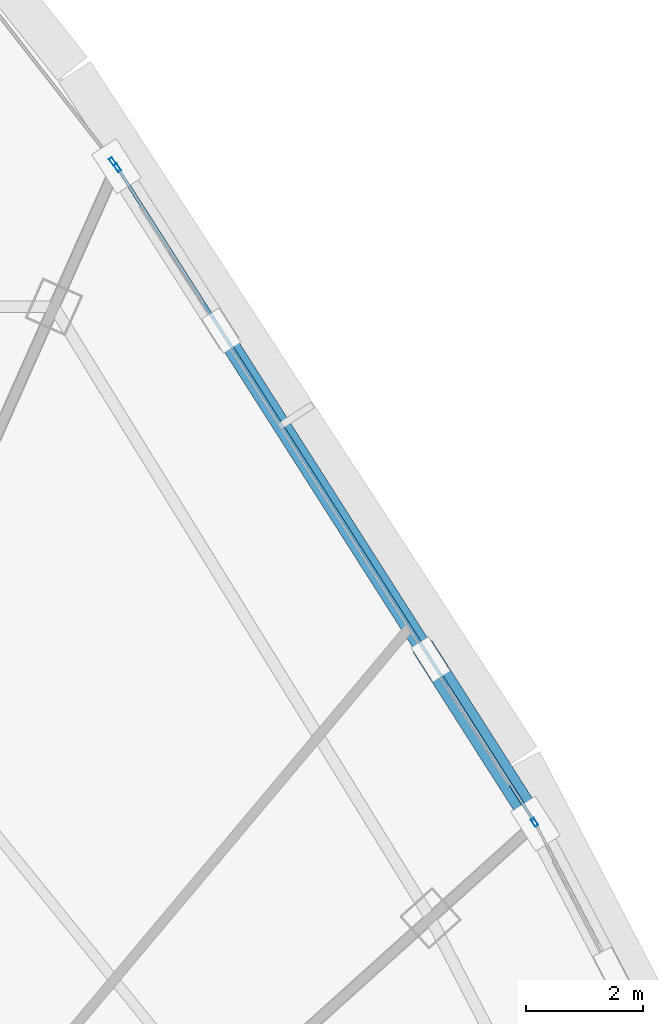
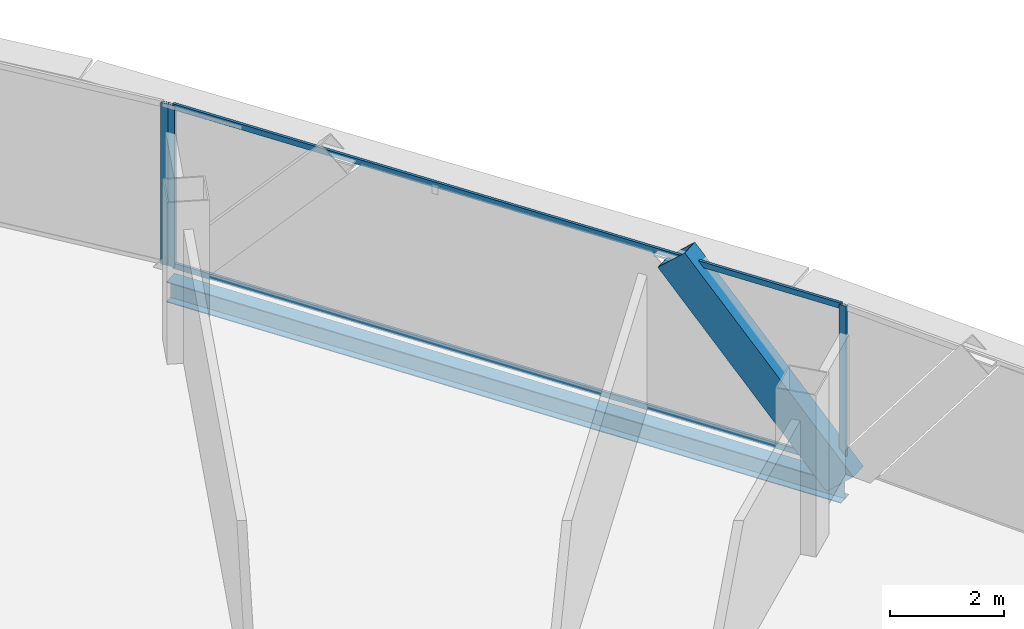
# One storey, part 26 of 40: 6 members, 1 beam, 2 elements without a shape of their own.
"""IFC4 building model written with IfcOpenShell, lengths in metres."""

from ifc_helpers import new_model, si_unit, direction, frame, origin, origin_2d, place, context, subcontext, project, spatial, hollow_rectangle, i_section, extrude, source, transform, mapped, material, layer, layer_set, material_profile, profile_set, type_object, element, aggregate, save


model = new_model("IFC4")

# Units and contexts
model_context = context("Model", 3, precision=1e-05, world=origin(), true_north=direction((0.0, 1.0)))
body_context = subcontext(model_context, "Body", "Model", "MODEL_VIEW")
ifc_project = project(units=[si_unit("LENGTHUNIT", "METRE"), si_unit("AREAUNIT", "SQUARE_METRE"), si_unit("VOLUMEUNIT", "CUBIC_METRE"), si_unit("PLANEANGLEUNIT", "RADIAN"), si_unit("MASSUNIT", "GRAM", prefix="KILO"), si_unit("THERMODYNAMICTEMPERATUREUNIT", "KELVIN"), si_unit("POWERUNIT", "WATT")], contexts=[model_context])

# Site, building, storey
site_placement = place(None, origin())
site = spatial("IfcSite", under=ifc_project, at=site_placement, CompositionType="ELEMENT")
building_placement = place(site_placement, origin())
building = spatial("IfcBuilding", under=site, at=building_placement, Name="Yunzhuo Pagoda Commons", CompositionType="ELEMENT")
storey_placement = place(building_placement, frame((0.0, 0.0, 288.75)))
storey = spatial("IfcBuildingStorey", under=building, at=storey_placement, Name="L72", CompositionType="ELEMENT", Elevation=288.75)

# Beam
ifc_material_1 = material(Name="Structural steel Q355B", Category="steel")
ifc_material_profile_1 = material_profile(ifc_material_1, i_section(OverallWidth=0.300048828125, OverallDepth=0.43994140625, WebThickness=0.010986328125, FlangeThickness=0.01806640625, at=origin_2d()), Name="Structural steel Q355B")
ifc_profile_set_1 = profile_set([ifc_material_profile_1], Name="Structural steel Q355B")
beam_type = type_object("IfcBeamType", Name="B-SP2 Beam HM 440x300x11x18", PredefinedType="BEAM", material=ifc_profile_set_1)
shared_shape_1 = source(origin(), body_context, "Body", "SweptSolid", [
    extrude(i_section(OverallWidth=0.300048828125, OverallDepth=0.43994140625, WebThickness=0.010986328125, FlangeThickness=0.01806640625, at=origin_2d()), origin(), (0.0, 0.0, 1.0), 13.37060546875),
])
beam_placement = place(storey_placement, frame((68.372802734375, 52.043701171875, -0.479736328125), z_axis=(-0.537394066708, 0.843331261763, 0.0), x_axis=(-0.843331261763, -0.537394066708, 0.0)))
element("IfcBeam", 1, at=beam_placement, inside=storey, type_object=beam_type, Name="L72 facade edge spandrel beam F2.3", PredefinedType="BEAM", context=body_context, shape_type="MappedRepresentation", body=[
    mapped(shared_shape_1, transform((0.0, 0.0, 0.0), scale=1.0)),
])

# Member
ifc_material_profile_2 = material_profile(ifc_material_1, hollow_rectangle(XDim=0.3798828125, YDim=0.719970703125, WallThickness=0.02001953125, at=origin_2d()), Name="Structural steel Q355B")
ifc_profile_set_2 = profile_set([ifc_material_profile_2], Name="Structural steel Q355B")
member_type_1 = type_object("IfcMemberType", Name="M-DL3 Brace BOX 720x380x20", PredefinedType="BRACE", material=ifc_profile_set_2)
shared_shape_2 = source(origin(), body_context, "Body", "SweptSolid", [
    extrude(hollow_rectangle(XDim=0.3798828125, YDim=0.719970703125, WallThickness=0.02001953125, at=origin_2d()), origin(), (0.0, 0.0, 1.0), 5.0087890625),
])
member_1_placement = place(storey_placement, frame((68.372802734375, 52.043701171875, -0.260009765625), z_axis=(-0.358653555732, 0.562839441158, 0.744700873128), x_axis=(-0.84333353284, -0.537390502696, 0.0)))
element("IfcMember", 2, at=member_1_placement, inside=storey, type_object=member_type_1, Name="L72 facade diamond brace F2.3L", PredefinedType="BRACE", context=body_context, shape_type="MappedRepresentation", body=[
    mapped(shared_shape_2, transform((0.0, 0.0, 0.0), scale=1.0)),
])

# Curtain wall, members
ifc_material_2 = material(Name="Anodized aluminium 6063-T6", Category="aluminium")
ifc_layer = layer(ifc_material_2, 0.139892578125)
ifc_layer_set = layer_set([ifc_layer], Name="Anodized aluminium 6063-T6")
curtain_wall_type = type_object("IfcCurtainWallType", Name="CW-HI High-Zone Ribbon Curtain Wall", PredefinedType="NOTDEFINED", material=ifc_layer_set)
curtain_wall_1_placement = place(storey_placement, origin())
curtain_wall_1 = element("IfcCurtainWall", 3, at=curtain_wall_1_placement, inside=storey, type_object=curtain_wall_type, Name="L72 curtain wall CW-L72-F2B4", PredefinedType="NOTDEFINED")
ifc_material_profile_3 = material_profile(ifc_material_2, hollow_rectangle(XDim=0.06005859375, YDim=0.139892578125, WallThickness=0.00341796875, at=origin_2d()), Name="Anodized aluminium 6063-T6")
ifc_profile_set_3 = profile_set([ifc_material_profile_3], Name="Anodized aluminium 6063-T6")
member_type_2 = type_object("IfcMemberType", Name="CW-HI-M Mullion RHS 140x60x3.5", PredefinedType="MULLION", material=ifc_profile_set_3)
shared_shape_3 = source(origin(), body_context, "Body", "SweptSolid", [
    extrude(hollow_rectangle(XDim=0.06005859375, YDim=0.139892578125, WallThickness=0.00341796875, at=origin_2d()), origin(), (0.0, 0.0, 1.0), 3.469970703125),
])
member_2_placement = place(storey_placement, frame((68.35693359375, 52.069091796875, 0.0), z_axis=(0.0, 0.0, 1.0), x_axis=(-0.84332965014, -0.537396595816, 0.0)))
member_2 = element("IfcMember", 4, at=member_2_placement, type_object=member_type_2, Name="CW mullion 1", PredefinedType="MULLION", context=body_context, shape_type="MappedRepresentation", body=[
    mapped(shared_shape_3, transform((0.0, 0.0, 0.0), scale=1.0)),
])
member_3_placement = place(storey_placement, frame((61.20361328125, 63.29443359375, 0.0), z_axis=(0.0, 0.0, 1.0), x_axis=(-0.84332965014, -0.537396595816, 0.0)))
member_3 = element("IfcMember", 5, at=member_3_placement, type_object=member_type_2, Name="CW mullion 2", PredefinedType="MULLION", context=body_context, shape_type="MappedRepresentation", body=[
    mapped(shared_shape_3, transform((0.0, 0.0, 0.0), scale=1.0)),
])

# Curtain wall, member
curtain_wall_2_placement = place(storey_placement, origin())
curtain_wall_2 = element("IfcCurtainWall", 6, at=curtain_wall_2_placement, inside=storey, type_object=curtain_wall_type, Name="L72 curtain wall CW-L72-F2B5", PredefinedType="NOTDEFINED")
member_4_placement = place(storey_placement, frame((61.123046875, 63.402587890625, 0.0), z_axis=(0.0, 0.0, 1.0), x_axis=(-0.789102923127, -0.614261000482, 0.0)))
member_4 = element("IfcMember", 7, at=member_4_placement, type_object=member_type_2, Name="CW mullion 1", PredefinedType="MULLION", context=body_context, shape_type="MappedRepresentation", body=[
    mapped(shared_shape_3, transform((0.0, 0.0, 0.0), scale=1.0)),
])
aggregate(curtain_wall_2, [member_4])

# Member
ifc_material_profile_4 = material_profile(ifc_material_2, hollow_rectangle(XDim=0.054931640625, YDim=0.1201171875, WallThickness=0.00341796875, at=origin_2d()), Name="Anodized aluminium 6063-T6")
ifc_profile_set_4 = profile_set([ifc_material_profile_4], Name="Anodized aluminium 6063-T6")
member_type_3 = type_object("IfcMemberType", Name="CW-HI-T Transom RHS 120x55x3.5", PredefinedType="USERDEFINED", material=ifc_profile_set_4)
shared_shape_4 = source(origin(), body_context, "Body", "SweptSolid", [
    extrude(hollow_rectangle(XDim=0.054931640625, YDim=0.1201171875, WallThickness=0.00341796875, at=origin_2d()), origin(), (0.0, 0.0, 1.0), 13.25048828125),
])
member_5_placement = place(storey_placement, frame((68.340576171875, 52.094482421875, 0.027587890625), z_axis=(-0.537399957032, 0.843327508256, 0.0), x_axis=(-0.843327508256, -0.537399957032, 0.0)))
member_5 = element("IfcMember", 8, at=member_5_placement, type_object=member_type_3, Name="CW transom 1.1", ObjectType="TRANSOM", PredefinedType="USERDEFINED", context=body_context, shape_type="MappedRepresentation", body=[
    mapped(shared_shape_4, transform((0.0, 0.0, 0.0), scale=1.0)),
])

member_6_placement = place(storey_placement, frame((68.340576171875, 52.094482421875, 3.4423828125), z_axis=(-0.537399957032, 0.843327508256, 0.0), x_axis=(-0.843327508256, -0.537399957032, 0.0)))
member_6 = element("IfcMember", 9, at=member_6_placement, type_object=member_type_3, Name="CW transom 1.2", ObjectType="TRANSOM", PredefinedType="USERDEFINED", context=body_context, shape_type="MappedRepresentation", body=[
    mapped(shared_shape_4, transform((0.0, 0.0, 0.0), scale=1.0)),
])

aggregate(curtain_wall_1, [member_2, member_3, member_5, member_6])

save(model, "model.ifc")
